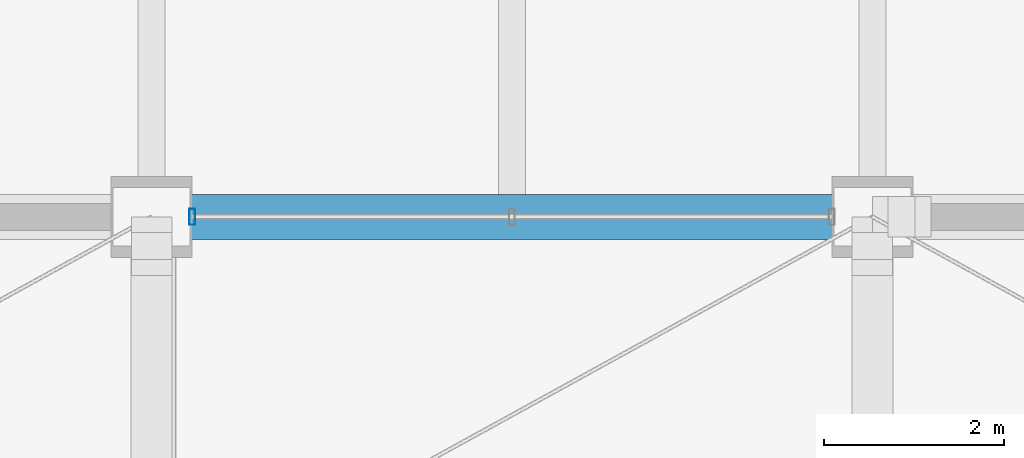
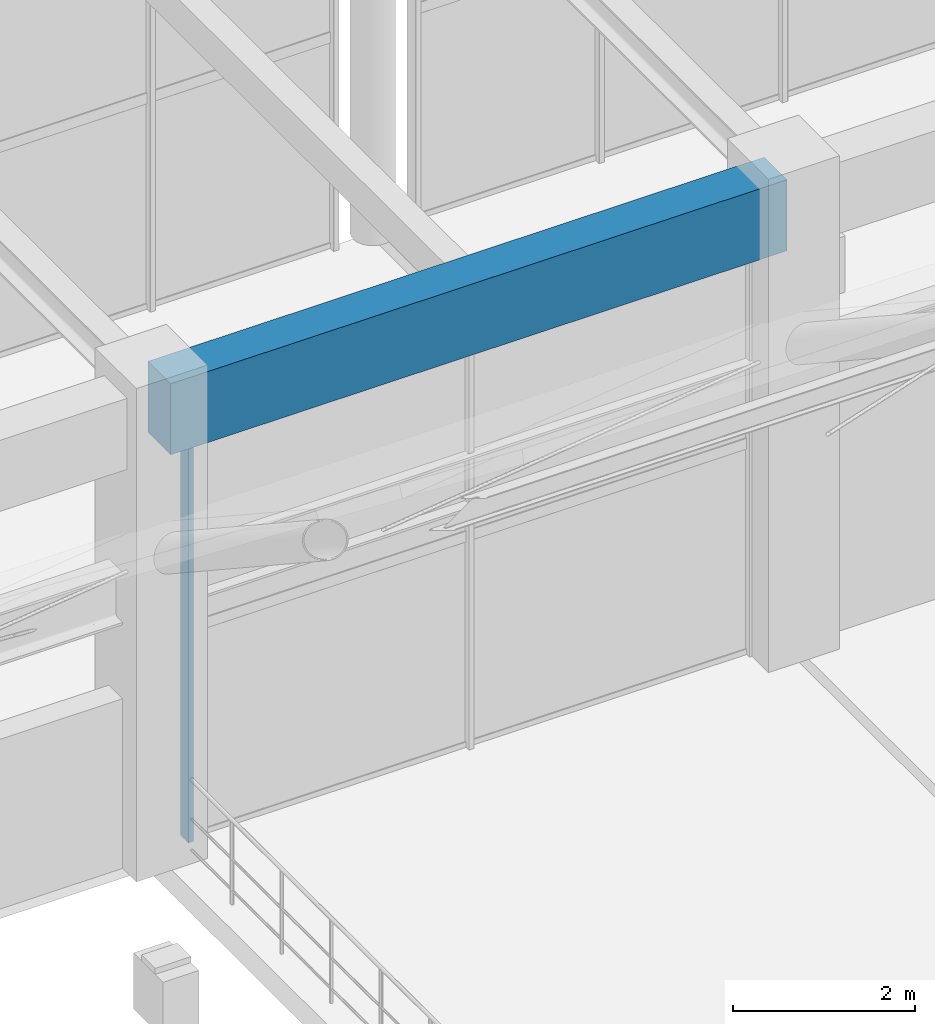
# One storey, part 65 of 163: 1 beam, 1 member, 1 element without a shape of its own.
"""IFC4 building model written with IfcOpenShell, lengths in metres."""

from ifc_helpers import new_model, si_unit, direction, frame, origin, origin_2d, place, context, subcontext, project, spatial, rectangle, hollow_rectangle, extrude, material, material_profile, profile_set, type_object, element, aggregate, save


model = new_model("IFC4")

# Units and contexts
model_context = context("Model", 3, precision=1e-05, world=origin(), true_north=direction((0.0, 1.0)))
body_context = subcontext(model_context, "Body", "Model", "MODEL_VIEW")
ifc_project = project(units=[si_unit("LENGTHUNIT", "METRE"), si_unit("AREAUNIT", "SQUARE_METRE"), si_unit("VOLUMEUNIT", "CUBIC_METRE"), si_unit("PLANEANGLEUNIT", "RADIAN"), si_unit("MASSUNIT", "GRAM", prefix="KILO")], contexts=[model_context])

# Site, building, storey
site_placement = place(None, origin())
site = spatial("IfcSite", under=ifc_project, at=site_placement, CompositionType="ELEMENT")
building_placement = place(site_placement, origin())
building = spatial("IfcBuilding", under=site, at=building_placement, Name="Varnabhumi Central Station", CompositionType="ELEMENT")
storey_placement = place(building_placement, frame((0.0, 0.0, 9.60009765625)))
storey = spatial("IfcBuildingStorey", under=building, at=storey_placement, Name="L02", CompositionType="ELEMENT", Elevation=9.60009765625)

# Beam
ifc_material_1 = material(Name="Concrete M40", Category="concrete")
ifc_material_profile_1 = material_profile(ifc_material_1, rectangle(XDim=0.5, YDim=0.949951171875, at=origin_2d()), Name="Concrete M40", Category="concrete")
ifc_profile_set_1 = profile_set([ifc_material_profile_1], Name="Concrete M40")
beam_type = type_object("IfcBeamType", Name="BM-RC-950x500", PredefinedType="BEAM", material=ifc_profile_set_1)
beam_placement = place(storey_placement, frame((56.10009765625, 80.0, 5.875), z_axis=(1.0, 0.0, 0.0), x_axis=(0.0, 1.0, 0.0)))
element("IfcBeam", 1, at=beam_placement, inside=storey, type_object=beam_type, Name="Beam L02-K:8-9", PredefinedType="BEAM", context=body_context, shape_type="SweptSolid", body=[
    extrude(rectangle(XDim=0.5, YDim=0.949951171875, at=origin_2d()), origin(), (0.0, 0.0, 1.0), 7.7998046875),
])

# Curtain wall, member
ifc_material_2 = material(Name="Anodised aluminium 6063-T6", Category="aluminium")
curtain_wall_type = type_object("IfcCurtainWallType", Name="CW-SPINE-SCREEN-L2", PredefinedType="NOTDEFINED", material=ifc_material_2)
curtain_wall_placement = place(storey_placement, origin())
curtain_wall = element("IfcCurtainWall", 2, at=curtain_wall_placement, inside=storey, type_object=curtain_wall_type, Name="Curtain Wall CW-NS204", PredefinedType="NOTDEFINED")
ifc_material_profile_2 = material_profile(ifc_material_2, hollow_rectangle(XDim=0.06494140625, YDim=0.179931640625, WallThickness=0.00390625, InnerFilletRadius=0.001953125, OuterFilletRadius=0.006103515625, at=origin_2d()), Name="Anodised aluminium 6063-T6", Category="aluminium")
ifc_profile_set_2 = profile_set([ifc_material_profile_2], Name="Anodised aluminium 6063-T6")
member_type = type_object("IfcMemberType", Name="CW-MUL-180", PredefinedType="MULLION", material=ifc_profile_set_2)
member_placement = place(storey_placement, frame((56.449951171875, 80.0, 0.0), z_axis=(0.0, 0.0, 1.0), x_axis=(1.0, 0.0, 0.0)))
member = element("IfcMember", 3, at=member_placement, type_object=member_type, Name="Curtain Wall Mullion CW-NS204-M1", PredefinedType="MULLION", context=body_context, shape_type="SweptSolid", body=[
    extrude(hollow_rectangle(XDim=0.06494140625, YDim=0.179931640625, WallThickness=0.00390625, InnerFilletRadius=0.001953125, OuterFilletRadius=0.006103515625, at=origin_2d()), origin(), (0.0, 0.0, 1.0), 5.639892578125),
])
aggregate(curtain_wall, [member])

save(model, "model.ifc")
